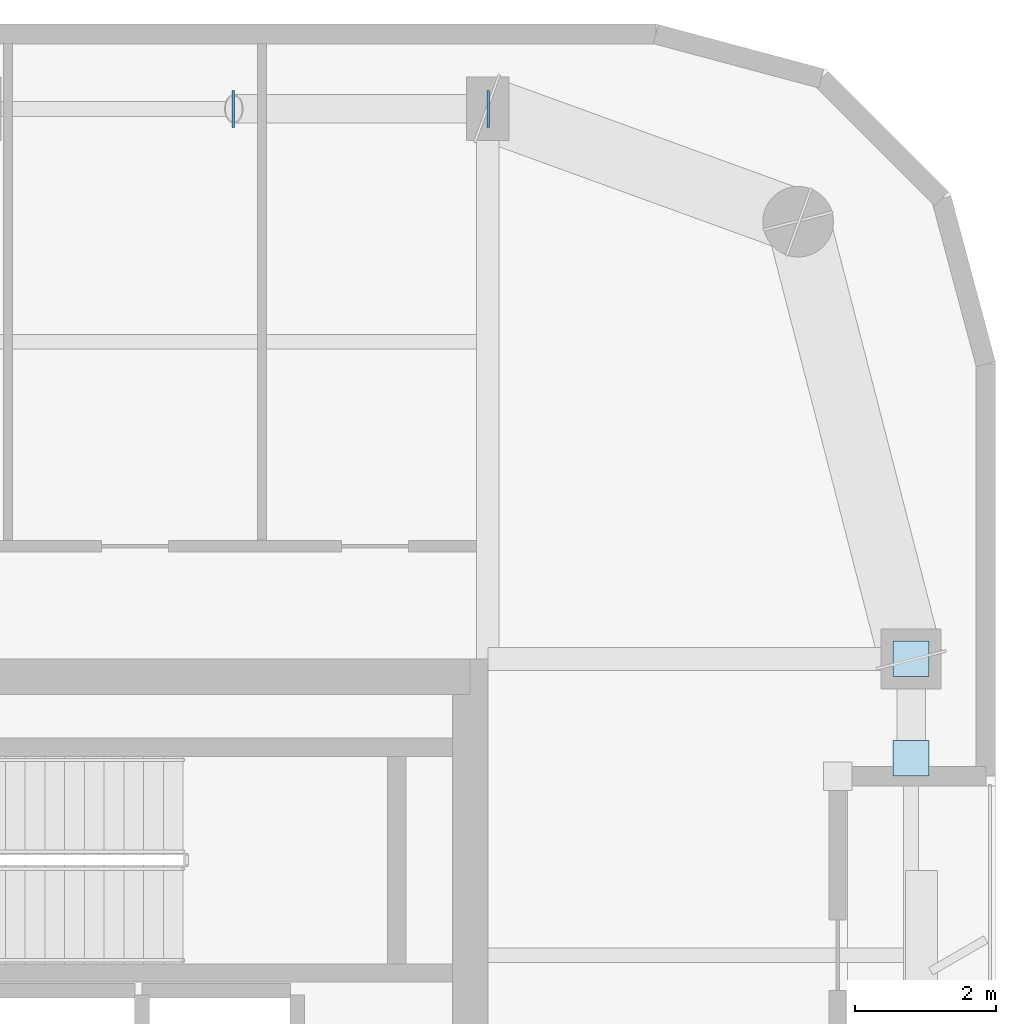
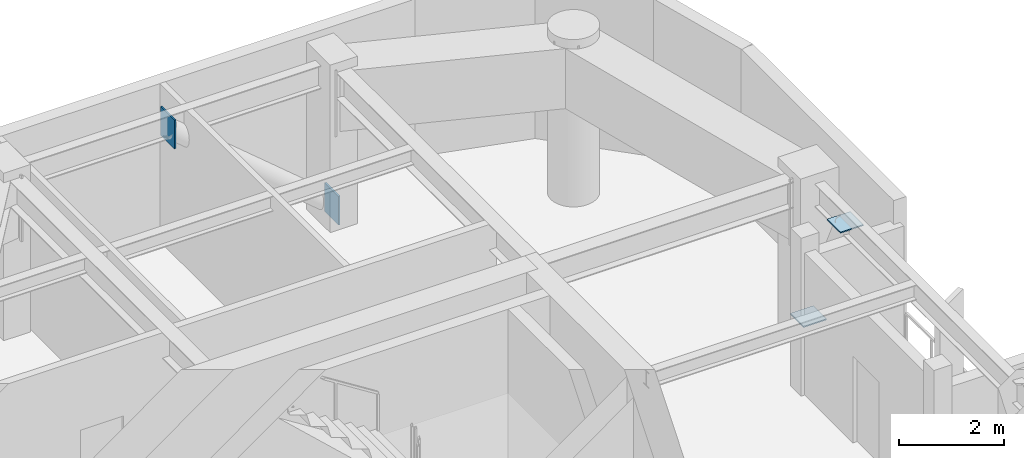
# One storey, part 9 of 16: 4 plates.
"""IFC4 building model written with IfcOpenShell, lengths in metres."""

from ifc_helpers import new_model, si_unit, direction, frame, origin, origin_2d, place, context, subcontext, project, spatial, rectangle, extrude, material, layer, layer_set, type_object, element, save


model = new_model("IFC4")

# Units and contexts
model_context = context("Model", 3, precision=1e-05, world=origin(), true_north=direction((0.0, 1.0)))
body_context = subcontext(model_context, "Body", "Model", "MODEL_VIEW")
ifc_project = project(units=[si_unit("LENGTHUNIT", "METRE"), si_unit("AREAUNIT", "SQUARE_METRE"), si_unit("VOLUMEUNIT", "CUBIC_METRE"), si_unit("PLANEANGLEUNIT", "RADIAN"), si_unit("MASSUNIT", "GRAM", prefix="KILO")], contexts=[model_context])

# Site, building, storey
site_placement = place(None, origin())
site = spatial("IfcSite", under=ifc_project, at=site_placement, CompositionType="ELEMENT")
building_placement = place(site_placement, origin())
building = spatial("IfcBuilding", under=site, at=building_placement, Name="Kiyonajd Concourse Tower", CompositionType="ELEMENT")
storey_placement = place(building_placement, frame((0.0, 0.0, 310.199951171875)))
storey = spatial("IfcBuildingStorey", under=building, at=storey_placement, Name="L78", CompositionType="ELEMENT", Elevation=310.199951171875)

# Plates
ifc_material = material(Name="Steel ASTM A572 Grade 50", Category="steel")
ifc_layer = layer(ifc_material, 0.028076171875)
ifc_layer_set = layer_set([ifc_layer], Name="Steel ASTM A572 Grade 50")
plate_type = type_object("IfcPlateType", Name="PL-CAP-450", PredefinedType="USERDEFINED", material=ifc_layer_set)
for number, where, z_axis, x_axis, name in (
    (1, (63.6083984375, 52.199951171875, -0.04248046875), (0.0, 0.0, 1.0), (1.0, 0.0, 0.0), "L78 Hollow Brace End Cap Plate PBN"),
    (2, (59.99169921875, 52.199951171875, 3.001708984375), (0.0, 0.0, 1.0), (-1.0, 0.0, 0.0), "L78 Hollow Brace Top Cap Plate PBN"),
):
    element("IfcPlate", number, at=place(storey_placement, frame(where, z_axis=z_axis, x_axis=x_axis)), inside=storey, type_object=plate_type, Name=name, ObjectType="CAP PLATE", PredefinedType="USERDEFINED", context=body_context, shape_type="SweptSolid", body=[
        extrude(rectangle(XDim=0.035888671875, YDim=0.52587890625, at=origin_2d()), origin(), (0.0, 0.0, 1.0), 0.6708984375),
    ])
for number, where, z_axis, x_axis, name in (
    (3, (69.60009765625, 44.404541015625, 0.27587890625), (0.0, 0.0, 1.0), (1.0, 0.0, 0.0), "L78 Hollow Brace End Cap Plate PBE"),
    (4, (69.60009765625, 42.995361328125, 3.326171875), (0.0, 0.0, 1.0), (1.0, 0.0, 0.0), "L78 Hollow Brace Top Cap Plate PBE"),
):
    element("IfcPlate", number, at=place(storey_placement, frame(where, z_axis=z_axis, x_axis=x_axis)), inside=storey, type_object=plate_type, Name=name, ObjectType="CAP PLATE", PredefinedType="USERDEFINED", context=body_context, shape_type="SweptSolid", body=[
        extrude(rectangle(XDim=0.506103515625, YDim=0.506103515625, at=origin_2d()), origin(), (0.0, 0.0, 1.0), 0.028076171875),
    ])

save(model, "model.ifc")
